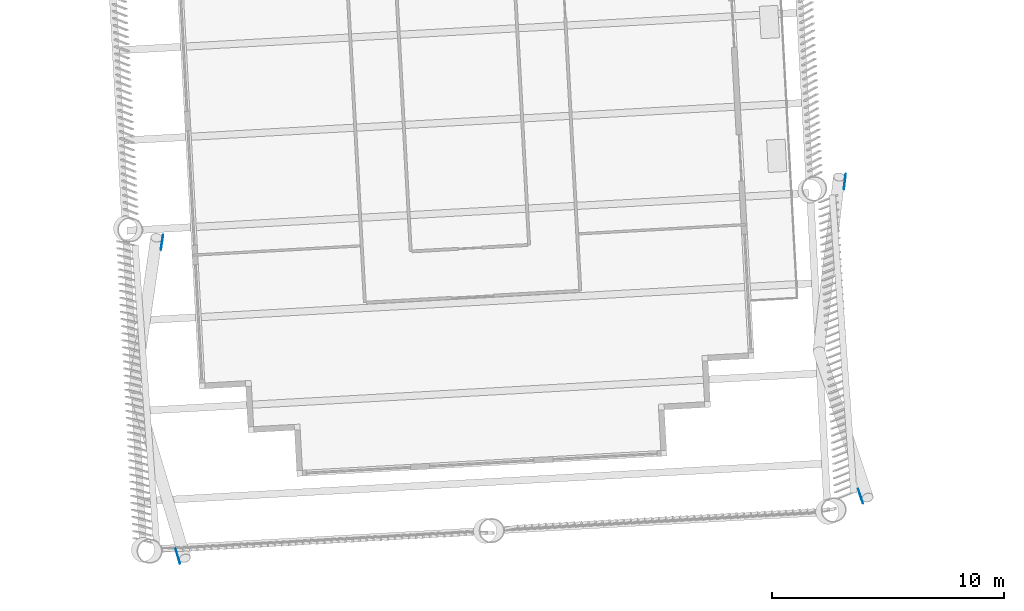
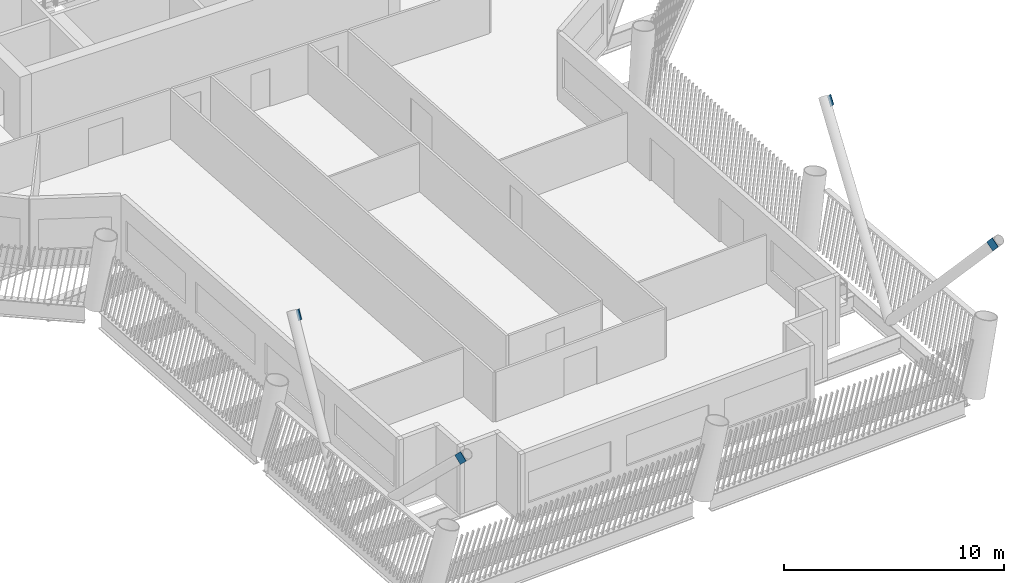
# One storey, part 8 of 23: 4 discrete accessories.
"""IFC4 building model written with IfcOpenShell, lengths in metres."""

import ifcopenshell
import ifcopenshell.guid

model = None  # the IFC model being written
_history = None  # IfcOwnerHistory: only IFC2X3 demands one
_inside = {}  # id of a spatial element -> (the spatial element, [elements in it])
_under = {}  # id of a project, library or spatial element -> (it, [spatial elements below it])
_declared = {}  # id of a project -> (the project, [libraries it declares])
_typed = {}  # id of a type object -> (the type object, [elements of that type])
_made_of = {}  # id of a material, layer set ... -> (it, [elements and type objects made of it])


def new_model(schema):
    """Start an empty IFC model of exactly this schema.

    Asked for "IFC4X3", IfcOpenShell would pick the latest addendum, in which some entities
    have other attributes; the version numbers below select the first issue.
    IFC2X3 requires an IfcOwnerHistory on every rooted entity: one is made here for all.
    """
    global model, _history
    if schema == "IFC4X3":
        model = ifcopenshell.file(schema_version=(4, 3, 0, 0))
    else:
        model = ifcopenshell.file(schema=schema)
    _inside.clear()
    _under.clear()
    _declared.clear()
    _typed.clear()
    _made_of.clear()
    _history = None
    if model.schema == "IFC2X3":
        org = make("IfcOrganization", Name="unknown")
        user = make(
            "IfcPersonAndOrganization",
            ThePerson=make("IfcPerson", FamilyName="unknown"),
            TheOrganization=org,
        )
        app = make(
            "IfcApplication",
            ApplicationDeveloper=org,
            Version="unknown",
            ApplicationFullName="unknown",
            ApplicationIdentifier="unknown",
        )
        _history = make(
            "IfcOwnerHistory",
            OwningUser=user,
            OwningApplication=app,
            ChangeAction="ADDED",
            CreationDate=0,
        )
    return model


def make(cls, **values):
    """One entity of the class cls with the attributes given. An attribute that is None is left unset."""
    return model.create_entity(
        cls, **{name: value for name, value in values.items() if value is not None}
    )


def rooted(cls, **values):
    """An entity with a GlobalId (a new one), such as an element, a storey or a relation."""
    return make(cls, GlobalId=ifcopenshell.guid.new(), OwnerHistory=_history, **values)


def si_unit(unit_type, name, prefix=None):
    """IfcSIUnit, for example si_unit("LENGTHUNIT", "METRE", prefix="MILLI")."""
    return make("IfcSIUnit", UnitType=unit_type, Prefix=prefix, Name=name)


def assignment(units):
    """IfcUnitAssignment: the units of a project."""
    return None if units is None else make("IfcUnitAssignment", Units=units)


def point(xyz):
    """IfcCartesianPoint."""
    return None if xyz is None else make("IfcCartesianPoint", Coordinates=xyz)


def direction(xyz):
    """IfcDirection."""
    return None if xyz is None else make("IfcDirection", DirectionRatios=xyz)


def frame(location, z_axis=None, x_axis=None):
    """IfcAxis2Placement3D, a coordinate frame: its origin and axes. An axis left out is left unset."""
    return make(
        "IfcAxis2Placement3D",
        Location=point(location),
        Axis=direction(z_axis),
        RefDirection=direction(x_axis),
    )


def frame_2d(location, x_axis=None):
    """IfcAxis2Placement2D, a coordinate frame in the plane: its origin and x axis."""
    return make(
        "IfcAxis2Placement2D", Location=point(location), RefDirection=direction(x_axis)
    )


def origin():
    """The frame at (0, 0, 0) with its axes left unset."""
    return frame((0.0, 0.0, 0.0))


def origin_2d():
    """The frame at (0, 0) in the plane with its x axis left unset."""
    return frame_2d((0.0, 0.0))


def place(relative_to, where):
    """IfcLocalPlacement: puts the frame where relative to a parent placement (None: the world)."""
    return make(
        "IfcLocalPlacement", PlacementRelTo=relative_to, RelativePlacement=where
    )


def context(
    kind, dimensions, precision=None, world=None, true_north=None, identifier=None
):
    """IfcGeometricRepresentationContext, for example the 3D "Model" context."""
    return make(
        "IfcGeometricRepresentationContext",
        ContextIdentifier=identifier,
        ContextType=kind,
        CoordinateSpaceDimension=dimensions,
        Precision=precision,
        WorldCoordinateSystem=world,
        TrueNorth=true_north,
    )


def subcontext(parent, identifier, kind, view, scale=None):
    """IfcGeometricRepresentationSubContext, for example "Body" below "Model"."""
    return make(
        "IfcGeometricRepresentationSubContext",
        ContextIdentifier=identifier,
        ContextType=kind,
        ParentContext=parent,
        TargetScale=scale,
        TargetView=view,
    )


def project(units=None, contexts=None):
    """IfcProject with its units and contexts."""
    return rooted(
        "IfcProject",
        Name="project",
        RepresentationContexts=contexts,
        UnitsInContext=assignment(units),
    )


def spatial(cls, under=None, at=None, **own):
    """A site, building, storey or space (cls), placed at a placement, below another one or the project."""
    s = rooted(cls, ObjectPlacement=at, **own)
    if under is not None:
        _under.setdefault(under.id(), (under, []))[1].append(s)
    return s


def profile(cls, at=None, kind="AREA", **sizes):
    """A parametric profile (cls). Its sizes go by their IFC names, for example OverallWidth=200.0."""
    return make(cls, ProfileType=kind, Position=at, **sizes)


def rectangle(**sizes):
    """IfcRectangleProfileDef."""
    return profile("IfcRectangleProfileDef", **sizes)


def extrude(swept, where, along, depth):
    """IfcExtrudedAreaSolid: the profile swept, set in the frame where, extruded along a direction by depth."""
    return make(
        "IfcExtrudedAreaSolid",
        SweptArea=swept,
        Position=where,
        ExtrudedDirection=direction(along),
        Depth=depth,
    )


def shape(context_of_items, identifier, shape_type, items):
    """IfcShapeRepresentation: the items that make up one representation, for example the "Body"."""
    return make(
        "IfcShapeRepresentation",
        ContextOfItems=context_of_items,
        RepresentationIdentifier=identifier,
        RepresentationType=shape_type,
        Items=items,
    )


def material(Name=None, Category=None):
    """IfcMaterial."""
    return make("IfcMaterial", Name=Name, Category=Category)


def material_profile(
    of_material, cross_section, Name=None, Category=None, Priority=None
):
    """IfcMaterialProfile: a cross section and its material."""
    return make(
        "IfcMaterialProfile",
        Name=Name,
        Material=of_material,
        Profile=cross_section,
        Priority=Priority,
        Category=Category,
    )


def profile_set(profiles, Name=None, composite=None):
    """IfcMaterialProfileSet."""
    return make(
        "IfcMaterialProfileSet",
        Name=Name,
        MaterialProfiles=profiles,
        CompositeProfile=composite,
    )


def made_of(thing, what):
    """Note that an element or type object is made of a material, layer set ...; save() writes the relation."""
    if what is not None:
        _made_of.setdefault(what.id(), (what, []))[1].append(thing)
    return thing


def type_object(cls, material=None, **own):
    """A type object (cls), such as IfcWallType, which elements share."""
    return made_of(rooted(cls, **own), material)


def element(
    cls,
    number,
    at=None,
    inside=None,
    cuts=None,
    type_object=None,
    material=None,
    context=None,
    identifier="Body",
    shape_type=None,
    held_by="IfcProductDefinitionShape",
    body=None,
    shapes=None,
    **own,
):
    """One element of the class cls, such as IfcWall. Its Tag is "e" and its number.

    at: its placement. inside: the storey or other place that contains it. cuts: it is an
    opening in that element (IfcRelVoidsElement). A single representation is given by context,
    identifier, shape_type and body (its items); several are given by shapes. held_by: the class
    of the entity that holds the representations. save() writes the other relations.
    """
    e = rooted(cls, Tag="e%d" % number, ObjectPlacement=at, **own)
    if body is not None:
        shapes = [shape(context, identifier, shape_type, body)]
    if shapes is not None:
        e.Representation = make(held_by, Representations=shapes)
    if inside is not None:
        _inside.setdefault(inside.id(), (inside, []))[1].append(e)
    if cuts is not None:
        rooted(
            "IfcRelVoidsElement", RelatingBuildingElement=cuts, RelatedOpeningElement=e
        )
    if type_object is not None:
        _typed.setdefault(type_object.id(), (type_object, []))[1].append(e)
    return made_of(e, material)


def aggregate(whole, parts):
    """IfcRelAggregates: a whole, such as a stair, and the parts it consists of."""
    return rooted("IfcRelAggregates", RelatingObject=whole, RelatedObjects=parts)


def save(model, path):
    """Write the relations noted so far, then the file.

    IfcRelAggregates (storeys below a building ...), IfcRelContainedInSpatialStructure (elements
    in a storey), IfcRelDefinesByType, IfcRelAssociatesMaterial and IfcRelDeclares: one each for
    every whole, place, type object, material and project.
    """
    for whole, parts in _under.values():
        aggregate(whole, parts)
    for where, things in _inside.values():
        rooted(
            "IfcRelContainedInSpatialStructure",
            RelatedElements=things,
            RelatingStructure=where,
        )
    for kind, things in _typed.values():
        rooted("IfcRelDefinesByType", RelatedObjects=things, RelatingType=kind)
    for what, things in _made_of.values():
        rooted("IfcRelAssociatesMaterial", RelatedObjects=things, RelatingMaterial=what)
    for by, libraries in _declared.values():
        rooted("IfcRelDeclares", RelatingContext=by, RelatedDefinitions=libraries)
    model.write(path)


model = new_model("IFC4")

# Units and contexts
model_context = context("Model", 3, precision=1e-05, world=origin(), true_north=direction((0.0, 1.0)))
body_context = subcontext(model_context, "Body", "Model", "MODEL_VIEW")
ifc_project = project(units=[si_unit("LENGTHUNIT", "METRE"), si_unit("AREAUNIT", "SQUARE_METRE"), si_unit("VOLUMEUNIT", "CUBIC_METRE"), si_unit("PLANEANGLEUNIT", "RADIAN"), si_unit("MASSUNIT", "GRAM", prefix="KILO")], contexts=[model_context])

# Site, building, storey
site_placement = place(None, origin())
site = spatial("IfcSite", under=ifc_project, at=site_placement, CompositionType="ELEMENT")
building_placement = place(site_placement, origin())
building = spatial("IfcBuilding", under=site, at=building_placement, Name="Tarsis Ring Headquarters", CompositionType="ELEMENT")
storey_placement = place(building_placement, frame((0.0, 0.0, 239.39990234375)))
storey = spatial("IfcBuildingStorey", under=building, at=storey_placement, Name="L56", CompositionType="ELEMENT", Elevation=239.39990234375)

# Discrete accessories
ifc_material = material(Name="Structural steel S355", Category="steel")
ifc_material_profile = material_profile(ifc_material, rectangle(XDim=0.02490234375, YDim=0.5, at=origin_2d()), Name="PL 25x500")
ifc_profile_set = profile_set([ifc_material_profile], Name="Structural steel S355")
discrete_accessory_type = type_object("IfcDiscreteAccessoryType", Name="Gusset plate Exo brace 25", PredefinedType="BRACKET", material=ifc_profile_set)
for number, where, z_axis, x_axis, name in (
    (1, (-10.326416015625, -53.97802734375, 7.625244140625), (-0.202140244688, 0.677706907311, -0.707002594947), (-0.958281125765, -0.285827367483, 0.0), "Gusset plate GP5"),
    (2, (-11.03759765625, -40.09228515625, 7.623046875), (-0.093757231625, -0.64848751874, -0.755429361063), (0.989709601841, -0.143090544844, 0.0), "Gusset plate GP5"),
    (3, (18.447265625, -37.466796875, 7.623046875), (-0.081560033898, -0.700341847961, -0.709132749818), (0.993287035789, -0.115675686874, 0.0), "Gusset plate GP5"),
    (4, (19.159912109375, -51.36767578125, 7.625244140625), (-0.208051964259, 0.624155892776, -0.753089504429), (-0.948683298051, -0.316227766017, 0.0), "Gusset plate GP5"),
):
    element("IfcDiscreteAccessory", number, at=place(storey_placement, frame(where, z_axis=z_axis, x_axis=x_axis)), inside=storey, type_object=discrete_accessory_type, Name=name, PredefinedType="BRACKET", context=body_context, shape_type="SweptSolid", body=[
        extrude(rectangle(XDim=0.02490234375, YDim=0.5, at=origin_2d()), origin(), (0.0, 0.0, 1.0), 0.5),
    ])

save(model, "model.ifc")
